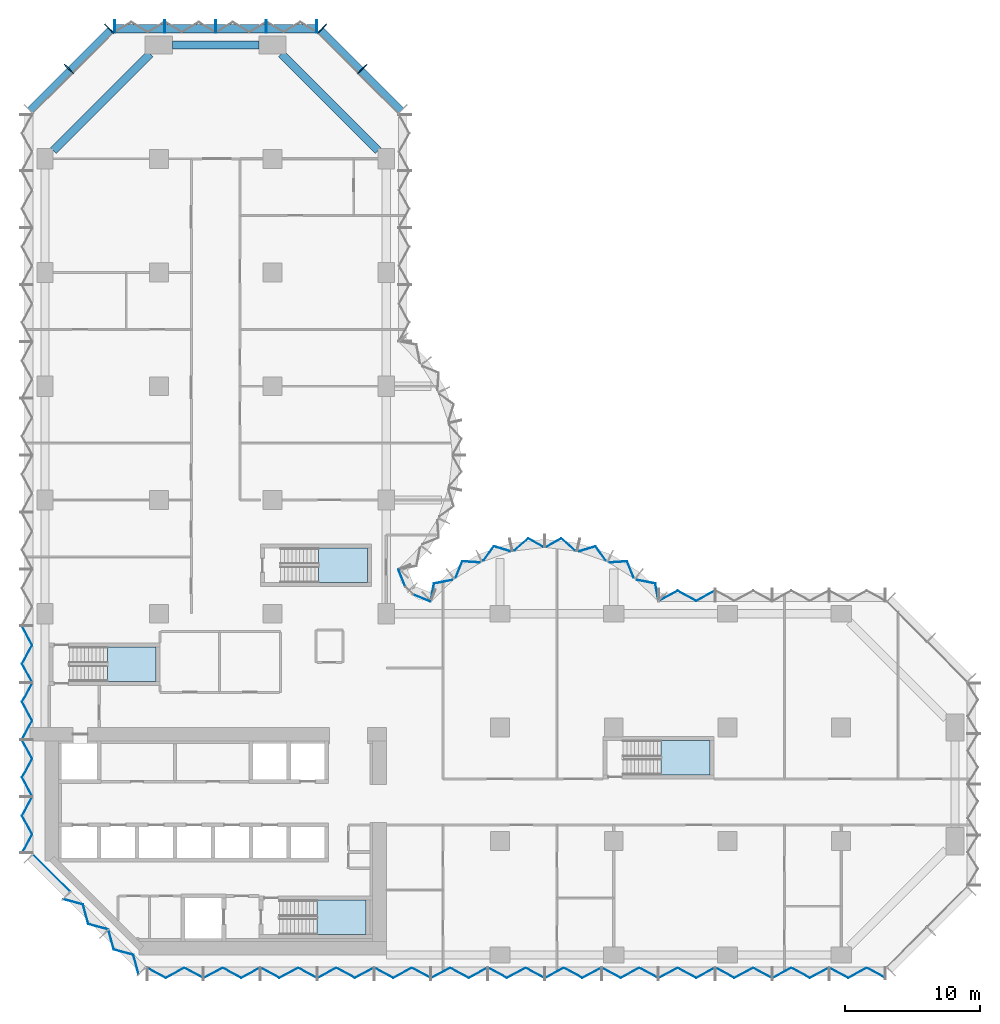
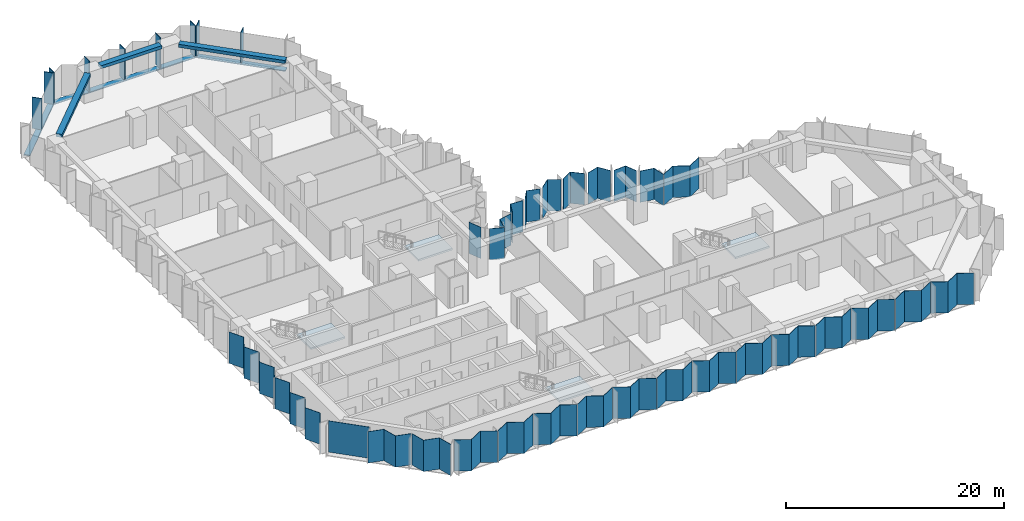
# One storey, part 5 of 15: 31 plates, 12 members, 4 slabs, 3 beams, 13 elements without a shape of their own.
"""IFC4 building model written with IfcOpenShell, lengths in metres."""

from ifc_helpers import new_model, si_unit, direction, frame, origin, origin_2d, place, context, subcontext, project, spatial, polyline, rectangle, outline, extrude, material, layer, layer_set, material_profile, profile_set, type_object, element, aggregate, save


model = new_model("IFC4")

# Units and contexts
model_context = context("Model", 3, precision=1e-05, world=origin(), true_north=direction((0.0, 1.0)))
body_context = subcontext(model_context, "Body", "Model", "MODEL_VIEW")
ifc_project = project(units=[si_unit("LENGTHUNIT", "METRE"), si_unit("AREAUNIT", "SQUARE_METRE"), si_unit("VOLUMEUNIT", "CUBIC_METRE"), si_unit("PLANEANGLEUNIT", "RADIAN"), si_unit("MASSUNIT", "GRAM", prefix="KILO")], contexts=[model_context])

# Site, building, storey
site_placement = place(None, origin())
site = spatial("IfcSite", under=ifc_project, at=site_placement, CompositionType="ELEMENT")
building_placement = place(site_placement, origin())
building = spatial("IfcBuilding", under=site, at=building_placement, Name="Brevane Broadcast Tower", CompositionType="ELEMENT")
storey_placement = place(building_placement, frame((0.0, 0.0, 47.300048828125)))
storey = spatial("IfcBuildingStorey", under=building, at=storey_placement, Name="L09", CompositionType="ELEMENT", Elevation=47.300048828125)

# Curtain wall, members
ifc_material_1 = material(Name="Aluminium 6063-T6 bronze anodised", Category="aluminium")
curtain_wall_type = type_object("IfcCurtainWallType", Name="CW-1 curtain wall", PredefinedType="NOTDEFINED", material=ifc_material_1)
curtain_wall_1_placement = place(storey_placement, origin())
curtain_wall_1 = element("IfcCurtainWall", 1, at=curtain_wall_1_placement, inside=storey, type_object=curtain_wall_type, Name="CW-1 typical tilted unit L09 north arm north-east chamfer", PredefinedType="NOTDEFINED")
ifc_material_profile_1 = material_profile(ifc_material_1, rectangle(XDim=0.949951171875, YDim=0.070068359375, at=origin_2d()), Name="RECT 70x950")
ifc_profile_set_1 = profile_set([ifc_material_profile_1], Name="Aluminium 6063-T6 bronze anodised")
member_type_1 = type_object("IfcMemberType", Name="CW-1 mullion 70x950", PredefinedType="MULLION", material=ifc_profile_set_1)
member_1_placement = place(storey_placement, frame((23.435791015625, 65.435791015625, -0.150146484375), z_axis=(0.0, 0.0, 1.0), x_axis=(-0.707106781187, -0.707106781187, 0.0)))
member_1 = element("IfcMember", 2, at=member_1_placement, type_object=member_type_1, Name="CW-1 mullion", PredefinedType="MULLION", context=body_context, shape_type="SweptSolid", body=[
    extrude(rectangle(XDim=0.949951171875, YDim=0.070068359375, at=origin_2d()), origin(), (0.0, 0.0, 1.0), 3.5),
])
member_2_placement = place(storey_placement, frame((20.460693359375, 68.4111328125, -0.150146484375), z_axis=(0.0, 0.0, 1.0), x_axis=(-0.707106781187, -0.707106781187, 0.0)))
member_2 = element("IfcMember", 3, at=member_2_placement, type_object=member_type_1, Name="CW-1 mullion", PredefinedType="MULLION", context=body_context, shape_type="SweptSolid", body=[
    extrude(rectangle(XDim=0.949951171875, YDim=0.070068359375, at=origin_2d()), origin(), (0.0, 0.0, 1.0), 3.5),
])

curtain_wall_2_placement = place(storey_placement, origin())
curtain_wall_2 = element("IfcCurtainWall", 4, at=curtain_wall_2_placement, inside=storey, type_object=curtain_wall_type, Name="CW-1 typical tilted unit L09 north end", PredefinedType="NOTDEFINED")
member_3_placement = place(storey_placement, frame((20.06494140625, 68.574951171875, -0.150146484375), z_axis=(0.0, 0.0, 1.0), x_axis=(0.0, -1.0, 0.0)))
member_3 = element("IfcMember", 5, at=member_3_placement, type_object=member_type_1, Name="CW-1 mullion", PredefinedType="MULLION", context=body_context, shape_type="SweptSolid", body=[
    extrude(rectangle(XDim=0.949951171875, YDim=0.070068359375, at=origin_2d()), origin(), (0.0, 0.0, 1.0), 3.5),
])
member_4_placement = place(storey_placement, frame((16.35009765625, 68.574951171875, -0.150146484375), z_axis=(0.0, 0.0, 1.0), x_axis=(0.0, -1.0, 0.0)))
member_4 = element("IfcMember", 6, at=member_4_placement, type_object=member_type_1, Name="CW-1 mullion", PredefinedType="MULLION", context=body_context, shape_type="SweptSolid", body=[
    extrude(rectangle(XDim=0.949951171875, YDim=0.070068359375, at=origin_2d()), origin(), (0.0, 0.0, 1.0), 3.5),
])
member_5_placement = place(storey_placement, frame((12.60009765625, 68.574951171875, -0.150146484375), z_axis=(0.0, 0.0, 1.0), x_axis=(0.0, -1.0, 0.0)))
member_5 = element("IfcMember", 7, at=member_5_placement, type_object=member_type_1, Name="CW-1 mullion", PredefinedType="MULLION", context=body_context, shape_type="SweptSolid", body=[
    extrude(rectangle(XDim=0.949951171875, YDim=0.070068359375, at=origin_2d()), origin(), (0.0, 0.0, 1.0), 3.5),
])
member_6_placement = place(storey_placement, frame((8.85009765625, 68.574951171875, -0.150146484375), z_axis=(0.0, 0.0, 1.0), x_axis=(0.0, -1.0, 0.0)))
member_6 = element("IfcMember", 8, at=member_6_placement, type_object=member_type_1, Name="CW-1 mullion", PredefinedType="MULLION", context=body_context, shape_type="SweptSolid", body=[
    extrude(rectangle(XDim=0.949951171875, YDim=0.070068359375, at=origin_2d()), origin(), (0.0, 0.0, 1.0), 3.5),
])
member_7_placement = place(storey_placement, frame((5.135009765625, 68.574951171875, -0.150146484375), z_axis=(0.0, 0.0, 1.0), x_axis=(0.0, -1.0, 0.0)))
member_7 = element("IfcMember", 9, at=member_7_placement, type_object=member_type_1, Name="CW-1 mullion", PredefinedType="MULLION", context=body_context, shape_type="SweptSolid", body=[
    extrude(rectangle(XDim=0.949951171875, YDim=0.070068359375, at=origin_2d()), origin(), (0.0, 0.0, 1.0), 3.5),
])

curtain_wall_3_placement = place(storey_placement, origin())
curtain_wall_3 = element("IfcCurtainWall", 10, at=curtain_wall_3_placement, inside=storey, type_object=curtain_wall_type, Name="CW-1 typical tilted unit L09 north-west chamfer", PredefinedType="NOTDEFINED")
member_8_placement = place(storey_placement, frame((4.7392578125, 68.4111328125, -0.150146484375), z_axis=(0.0, 0.0, 1.0), x_axis=(0.707106781187, -0.707106781187, 0.0)))
member_8 = element("IfcMember", 11, at=member_8_placement, type_object=member_type_1, Name="CW-1 mullion", PredefinedType="MULLION", context=body_context, shape_type="SweptSolid", body=[
    extrude(rectangle(XDim=0.949951171875, YDim=0.070068359375, at=origin_2d()), origin(), (0.0, 0.0, 1.0), 3.5),
])
member_9_placement = place(storey_placement, frame((1.76416015625, 65.435791015625, -0.150146484375), z_axis=(0.0, 0.0, 1.0), x_axis=(0.707106781187, -0.707106781187, 0.0)))
member_9 = element("IfcMember", 12, at=member_9_placement, type_object=member_type_1, Name="CW-1 mullion", PredefinedType="MULLION", context=body_context, shape_type="SweptSolid", body=[
    extrude(rectangle(XDim=0.949951171875, YDim=0.070068359375, at=origin_2d()), origin(), (0.0, 0.0, 1.0), 3.5),
])

# Member
ifc_material_profile_2 = material_profile(ifc_material_1, rectangle(XDim=0.60009765625, YDim=0.10009765625, at=origin_2d()), Name="RECT 100x600")
ifc_profile_set_2 = profile_set([ifc_material_profile_2], Name="Aluminium 6063-T6 bronze anodised")
member_type_2 = type_object("IfcMemberType", Name="CW-1 transom 100x600", PredefinedType="USERDEFINED", material=ifc_profile_set_2)
member_10_placement = place(storey_placement, frame((26.31201171875, 62.31201171875, -0.199951171875), z_axis=(-0.707106781187, 0.707106781187, 0.0), x_axis=(-0.707106781187, -0.707106781187, 0.0)))
member_10 = element("IfcMember", 13, at=member_10_placement, type_object=member_type_2, Name="CW-1 transom", ObjectType="TRANSOM", PredefinedType="USERDEFINED", context=body_context, shape_type="SweptSolid", body=[
    extrude(rectangle(XDim=0.60009765625, YDim=0.10009765625, at=origin_2d()), origin(), (0.0, 0.0, 1.0), 8.4853515625),
])

aggregate(curtain_wall_1, [member_1, member_2, member_10])

member_11_placement = place(storey_placement, frame((20.10009765625, 68.39990234375, -0.199951171875), z_axis=(-1.0, 0.0, 0.0), x_axis=(0.0, -1.0, 0.0)))
member_11 = element("IfcMember", 14, at=member_11_placement, type_object=member_type_2, Name="CW-1 transom", ObjectType="TRANSOM", PredefinedType="USERDEFINED", context=body_context, shape_type="SweptSolid", body=[
    extrude(rectangle(XDim=0.60009765625, YDim=0.10009765625, at=origin_2d()), origin(), (0.0, 0.0, 1.0), 15.0),
])

aggregate(curtain_wall_2, [member_3, member_4, member_5, member_6, member_7, member_11])

member_12_placement = place(storey_placement, frame((4.887939453125, 68.31201171875, -0.199951171875), z_axis=(-0.707106781187, -0.707106781187, 0.0), x_axis=(0.707106781187, -0.707106781187, 0.0)))
member_12 = element("IfcMember", 15, at=member_12_placement, type_object=member_type_2, Name="CW-1 transom", ObjectType="TRANSOM", PredefinedType="USERDEFINED", context=body_context, shape_type="SweptSolid", body=[
    extrude(rectangle(XDim=0.60009765625, YDim=0.10009765625, at=origin_2d()), origin(), (0.0, 0.0, 1.0), 8.4853515625),
])

aggregate(curtain_wall_3, [member_8, member_9, member_12])

# Beams
ifc_material_2 = material(Name="Concrete C40/50", Category="concrete")
ifc_material_profile_3 = material_profile(ifc_material_2, rectangle(XDim=0.60009765625, YDim=0.35009765625, at=origin_2d()), Name="RC 600x350")
ifc_profile_set_3 = profile_set([ifc_material_profile_3], Name="Concrete C40/50")
beam_type = type_object("IfcBeamType", Name="RC SPANDREL BEAM 600x350 C40/50", PredefinedType="SPANDREL", material=ifc_profile_set_3)
beam_1_placement = place(storey_placement, frame((24.60009765625, 59.39990234375, 3.175048828125), z_axis=(-0.707106781187, 0.707106781187, 0.0), x_axis=(-0.707106781187, -0.707106781187, 0.0)))
element("IfcBeam", 16, at=beam_1_placement, inside=storey, type_object=beam_type, Name="EB1 L09-16", PredefinedType="SPANDREL", context=body_context, shape_type="SweptSolid", body=[
    extrude(rectangle(XDim=0.60009765625, YDim=0.35009765625, at=origin_2d()), origin(), (0.0, 0.0, 1.0), 10.11181640625),
])
beam_2_placement = place(storey_placement, frame((15.800048828125, 67.199951171875, 3.175048828125), z_axis=(-1.0, 0.0, 0.0), x_axis=(0.0, -1.0, 0.0)))
element("IfcBeam", 17, at=beam_2_placement, inside=storey, type_object=beam_type, Name="EB1 L09-17", PredefinedType="SPANDREL", context=body_context, shape_type="SweptSolid", body=[
    extrude(rectangle(XDim=0.60009765625, YDim=0.35009765625, at=origin_2d()), origin(), (0.0, 0.0, 1.0), 6.400146484375),
])
beam_3_placement = place(storey_placement, frame((7.75, 66.550048828125, 3.175048828125), z_axis=(-0.707094708853, -0.707118853314, 0.0), x_axis=(0.707118853314, -0.707094708853, 0.0)))
element("IfcBeam", 18, at=beam_3_placement, inside=storey, type_object=beam_type, Name="EB1 L09-18", PredefinedType="SPANDREL", context=body_context, shape_type="SweptSolid", body=[
    extrude(rectangle(XDim=0.60009765625, YDim=0.35009765625, at=origin_2d()), origin(), (0.0, 0.0, 1.0), 10.111572265625),
])

# Curtain wall, plates
curtain_wall_4_placement = place(storey_placement, origin())
curtain_wall_4 = element("IfcCurtainWall", 19, at=curtain_wall_4_placement, inside=storey, type_object=curtain_wall_type, Name="CW-1 typical tilted unit L09 south face", PredefinedType="NOTDEFINED")
ifc_material_3 = material(Name="Laminated glass bronze-tinted", Category="glass")
ifc_layer_1 = layer(ifc_material_3, 0.0400390625)
ifc_layer_set_1 = layer_set([ifc_layer_1], Name="CW tall glass panel 40")
plate_type = type_object("IfcPlateType", Name="CW tall glass panel 40", PredefinedType="CURTAIN_PANEL", material=ifc_layer_set_1)
plate_1_placement = place(storey_placement, frame((0.0, 0.0, -0.150146484375)))
plate_1 = element("IfcPlate", 20, at=plate_1_placement, type_object=plate_type, Name="CW-1 glass panel", PredefinedType="CURTAIN_PANEL", context=body_context, shape_type="SweptSolid", body=[
    extrude(outline(polyline([(7.534912109375, -0.92724609375), (7.534912109375, -0.97265625), (8.91162109375, -1.717041015625), (10.288330078125, -0.97265625), (11.6650390625, -1.717041015625), (11.6650390625, -1.671630859375), (10.288330078125, -0.92724609375), (8.91162109375, -1.671630859375), (7.534912109375, -0.92724609375)])), origin(), (0.0, 0.0, 1.0), 3.5),
])
plate_2_placement = place(storey_placement, frame((0.0, 0.0, -0.150146484375)))
plate_2 = element("IfcPlate", 21, at=plate_2_placement, type_object=plate_type, Name="CW-1 glass panel", PredefinedType="CURTAIN_PANEL", context=body_context, shape_type="SweptSolid", body=[
    extrude(outline(polyline([(11.735107421875, -1.671630859375), (11.735107421875, -1.717041015625), (13.11181640625, -0.97265625), (14.48828125, -1.717041015625), (15.864990234375, -0.97265625), (15.864990234375, -0.92724609375), (14.48828125, -1.671630859375), (13.11181640625, -0.92724609375), (11.735107421875, -1.671630859375)])), origin(), (0.0, 0.0, 1.0), 3.5),
])
plate_3_placement = place(storey_placement, frame((0.0, 0.0, -0.150146484375)))
plate_3 = element("IfcPlate", 22, at=plate_3_placement, type_object=plate_type, Name="CW-1 glass panel", PredefinedType="CURTAIN_PANEL", context=body_context, shape_type="SweptSolid", body=[
    extrude(outline(polyline([(15.93505859375, -0.92724609375), (15.93505859375, -0.97265625), (17.311767578125, -1.717041015625), (18.688232421875, -0.97265625), (20.06494140625, -1.717041015625), (20.06494140625, -1.671630859375), (18.688232421875, -0.92724609375), (17.311767578125, -1.671630859375), (15.93505859375, -0.92724609375)])), origin(), (0.0, 0.0, 1.0), 3.5),
])
plate_4_placement = place(storey_placement, frame((0.0, 0.0, -0.150146484375)))
plate_4 = element("IfcPlate", 23, at=plate_4_placement, type_object=plate_type, Name="CW-1 glass panel", PredefinedType="CURTAIN_PANEL", context=body_context, shape_type="SweptSolid", body=[
    extrude(outline(polyline([(20.135009765625, -1.671630859375), (20.135009765625, -1.717041015625), (21.51171875, -0.97265625), (22.88818359375, -1.717041015625), (24.264892578125, -0.97265625), (24.264892578125, -0.92724609375), (22.88818359375, -1.671630859375), (21.51171875, -0.92724609375), (20.135009765625, -1.671630859375)])), origin(), (0.0, 0.0, 1.0), 3.5),
])
plate_5_placement = place(storey_placement, frame((0.0, 0.0, -0.150146484375)))
plate_5 = element("IfcPlate", 24, at=plate_5_placement, type_object=plate_type, Name="CW-1 glass panel", PredefinedType="CURTAIN_PANEL", context=body_context, shape_type="SweptSolid", body=[
    extrude(outline(polyline([(24.3349609375, -0.92724609375), (24.3349609375, -0.97265625), (25.711669921875, -1.717041015625), (27.08837890625, -0.97265625), (28.465087890625, -1.717041015625), (28.465087890625, -1.671630859375), (27.08837890625, -0.92724609375), (25.711669921875, -1.671630859375), (24.3349609375, -0.92724609375)])), origin(), (0.0, 0.0, 1.0), 3.5),
])
plate_6_placement = place(storey_placement, frame((0.0, 0.0, -0.150146484375)))
plate_6 = element("IfcPlate", 25, at=plate_6_placement, type_object=plate_type, Name="CW-1 glass panel", PredefinedType="CURTAIN_PANEL", context=body_context, shape_type="SweptSolid", body=[
    extrude(outline(polyline([(28.534912109375, -1.671630859375), (28.534912109375, -1.717041015625), (29.91162109375, -0.97265625), (31.288330078125, -1.717041015625), (32.6650390625, -0.97265625), (32.6650390625, -0.92724609375), (31.288330078125, -1.671630859375), (29.91162109375, -0.92724609375), (28.534912109375, -1.671630859375)])), origin(), (0.0, 0.0, 1.0), 3.5),
])
plate_7_placement = place(storey_placement, frame((0.0, 0.0, -0.150146484375)))
plate_7 = element("IfcPlate", 26, at=plate_7_placement, type_object=plate_type, Name="CW-1 glass panel", PredefinedType="CURTAIN_PANEL", context=body_context, shape_type="SweptSolid", body=[
    extrude(outline(polyline([(32.735107421875, -0.92724609375), (32.735107421875, -0.97265625), (34.11181640625, -1.717041015625), (35.48828125, -0.97265625), (36.864990234375, -1.717041015625), (36.864990234375, -1.671630859375), (35.48828125, -0.92724609375), (34.11181640625, -1.671630859375), (32.735107421875, -0.92724609375)])), origin(), (0.0, 0.0, 1.0), 3.5),
])
plate_8_placement = place(storey_placement, frame((0.0, 0.0, -0.150146484375)))
plate_8 = element("IfcPlate", 27, at=plate_8_placement, type_object=plate_type, Name="CW-1 glass panel", PredefinedType="CURTAIN_PANEL", context=body_context, shape_type="SweptSolid", body=[
    extrude(outline(polyline([(36.93505859375, -1.671630859375), (36.93505859375, -1.717041015625), (38.311767578125, -0.97265625), (39.688232421875, -1.717041015625), (41.06494140625, -0.97265625), (41.06494140625, -0.92724609375), (39.688232421875, -1.671630859375), (38.311767578125, -0.92724609375), (36.93505859375, -1.671630859375)])), origin(), (0.0, 0.0, 1.0), 3.5),
])
plate_9_placement = place(storey_placement, frame((0.0, 0.0, -0.150146484375)))
plate_9 = element("IfcPlate", 28, at=plate_9_placement, type_object=plate_type, Name="CW-1 glass panel", PredefinedType="CURTAIN_PANEL", context=body_context, shape_type="SweptSolid", body=[
    extrude(outline(polyline([(41.135009765625, -0.92724609375), (41.135009765625, -0.97265625), (42.51171875, -1.717041015625), (43.88818359375, -0.97265625), (45.264892578125, -1.717041015625), (45.264892578125, -1.671630859375), (43.88818359375, -0.92724609375), (42.51171875, -1.671630859375), (41.135009765625, -0.92724609375)])), origin(), (0.0, 0.0, 1.0), 3.5),
])
plate_10_placement = place(storey_placement, frame((0.0, 0.0, -0.150146484375)))
plate_10 = element("IfcPlate", 29, at=plate_10_placement, type_object=plate_type, Name="CW-1 glass panel", PredefinedType="CURTAIN_PANEL", context=body_context, shape_type="SweptSolid", body=[
    extrude(outline(polyline([(45.3349609375, -1.671630859375), (45.3349609375, -1.717041015625), (46.711669921875, -0.97265625), (48.08837890625, -1.717041015625), (49.465087890625, -0.97265625), (49.465087890625, -0.92724609375), (48.08837890625, -1.671630859375), (46.711669921875, -0.92724609375), (45.3349609375, -1.671630859375)])), origin(), (0.0, 0.0, 1.0), 3.5),
])
plate_11_placement = place(storey_placement, frame((0.0, 0.0, -0.150146484375)))
plate_11 = element("IfcPlate", 30, at=plate_11_placement, type_object=plate_type, Name="CW-1 glass panel", PredefinedType="CURTAIN_PANEL", context=body_context, shape_type="SweptSolid", body=[
    extrude(outline(polyline([(49.534912109375, -0.92724609375), (49.534912109375, -0.97265625), (50.91162109375, -1.717041015625), (52.288330078125, -0.97265625), (53.6650390625, -1.717041015625), (53.6650390625, -1.671630859375), (52.288330078125, -0.92724609375), (50.91162109375, -1.671630859375), (49.534912109375, -0.92724609375)])), origin(), (0.0, 0.0, 1.0), 3.5),
])
plate_12_placement = place(storey_placement, frame((0.0, 0.0, -0.150146484375)))
plate_12 = element("IfcPlate", 31, at=plate_12_placement, type_object=plate_type, Name="CW-1 glass panel", PredefinedType="CURTAIN_PANEL", context=body_context, shape_type="SweptSolid", body=[
    extrude(outline(polyline([(53.735107421875, -1.671630859375), (53.735107421875, -1.717041015625), (55.11181640625, -0.97265625), (56.48828125, -1.717041015625), (57.864990234375, -0.97265625), (57.864990234375, -0.92724609375), (56.48828125, -1.671630859375), (55.11181640625, -0.92724609375), (53.735107421875, -1.671630859375)])), origin(), (0.0, 0.0, 1.0), 3.5),
])
plate_13_placement = place(storey_placement, frame((0.0, 0.0, -0.150146484375)))
plate_13 = element("IfcPlate", 32, at=plate_13_placement, type_object=plate_type, Name="CW-1 glass panel", PredefinedType="CURTAIN_PANEL", context=body_context, shape_type="SweptSolid", body=[
    extrude(outline(polyline([(57.93505859375, -0.92724609375), (57.93505859375, -0.97265625), (59.311767578125, -1.717041015625), (60.688232421875, -0.97265625), (62.06494140625, -1.717041015625), (62.06494140625, -1.671630859375), (60.688232421875, -0.92724609375), (59.311767578125, -1.671630859375), (57.93505859375, -0.92724609375)])), origin(), (0.0, 0.0, 1.0), 3.5),
])
aggregate(curtain_wall_4, [plate_1, plate_2, plate_3, plate_4, plate_5, plate_6, plate_7, plate_8, plate_9, plate_10, plate_11, plate_12, plate_13])

# Curtain wall, plate
curtain_wall_5_placement = place(storey_placement, origin())
curtain_wall_5 = element("IfcCurtainWall", 33, at=curtain_wall_5_placement, inside=storey, type_object=curtain_wall_type, Name="CW-1 typical tilted unit L09 east arm north face", PredefinedType="NOTDEFINED")
plate_14_placement = place(storey_placement, frame((0.0, 0.0, -0.150146484375)))
plate_14 = element("IfcPlate", 34, at=plate_14_placement, type_object=plate_type, Name="CW-1 glass panel", PredefinedType="CURTAIN_PANEL", context=body_context, shape_type="SweptSolid", body=[
    extrude(outline(polyline([(49.465087890625, 26.87158203125), (49.465087890625, 26.9169921875), (48.08837890625, 26.172607421875), (46.711669921875, 26.9169921875), (45.3349609375, 26.172607421875), (45.3349609375, 26.127197265625), (46.711669921875, 26.87158203125), (48.08837890625, 26.127197265625), (49.465087890625, 26.87158203125)])), origin(), (0.0, 0.0, 1.0), 3.5),
])
aggregate(curtain_wall_5, [plate_14])

# Curtain wall, plates
curtain_wall_6_placement = place(storey_placement, origin())
curtain_wall_6 = element("IfcCurtainWall", 35, at=curtain_wall_6_placement, inside=storey, type_object=curtain_wall_type, Name="CW-1 typical tilted unit L09 east bow", PredefinedType="NOTDEFINED")
plate_15_placement = place(storey_placement, frame((0.0, 0.0, -0.150146484375)))
plate_15 = element("IfcPlate", 36, at=plate_15_placement, type_object=plate_type, Name="CW-1 glass panel", PredefinedType="CURTAIN_PANEL", context=body_context, shape_type="SweptSolid", body=[
    extrude(outline(polyline([(45.2939453125, 26.14404296875), (45.327880859375, 26.17919921875), (45.086181640625, 27.447265625), (43.738525390625, 27.71142578125), (43.7109375, 27.67626953125), (45.052001953125, 27.4130859375), (45.2939453125, 26.14404296875)])), origin(), (0.0, 0.0, 1.0), 3.5),
])
plate_16_placement = place(storey_placement, frame((0.0, 0.0, -0.150146484375)))
plate_16 = element("IfcPlate", 37, at=plate_16_placement, type_object=plate_type, Name="CW-1 glass panel", PredefinedType="CURTAIN_PANEL", context=body_context, shape_type="SweptSolid", body=[
    extrude(outline(polyline([(43.45703125, 27.8759765625), (43.4853515625, 27.912109375), (43.00390625, 29.089111328125), (41.710693359375, 29.006591796875), (41.69091796875, 28.96533203125), (42.977783203125, 29.04736328125), (43.45703125, 27.8759765625)])), origin(), (0.0, 0.0, 1.0), 3.5),
])
plate_17_placement = place(storey_placement, frame((0.0, 0.0, -0.150146484375)))
plate_17 = element("IfcPlate", 38, at=plate_17_placement, type_object=plate_type, Name="CW-1 glass panel", PredefinedType="CURTAIN_PANEL", context=body_context, shape_type="SweptSolid", body=[
    extrude(outline(polyline([(41.3994140625, 29.104248046875), (41.4189453125, 29.1455078125), (40.667724609375, 30.20166015625), (39.45068359375, 29.83349609375), (39.440185546875, 29.78857421875), (40.65185546875, 30.155029296875), (41.3994140625, 29.104248046875)])), origin(), (0.0, 0.0, 1.0), 3.5),
])
plate_18_placement = place(storey_placement, frame((0.0, 0.0, -0.150146484375)))
plate_18 = element("IfcPlate", 39, at=plate_18_placement, type_object=plate_type, Name="CW-1 glass panel", PredefinedType="CURTAIN_PANEL", context=body_context, shape_type="SweptSolid", body=[
    extrude(outline(polyline([(39.125, 29.859619140625), (39.13525390625, 29.903564453125), (38.116943359375, 30.779296875), (37.008056640625, 30.15869140625), (37.008056640625, 30.11279296875), (38.112060546875, 30.730712890625), (39.125, 29.859619140625)])), origin(), (0.0, 0.0, 1.0), 3.5),
])
plate_19_placement = place(storey_placement, frame((0.0, 0.0, -0.150146484375)))
plate_19 = element("IfcPlate", 40, at=plate_19_placement, type_object=plate_type, Name="CW-1 glass panel", PredefinedType="CURTAIN_PANEL", context=body_context, shape_type="SweptSolid", body=[
    extrude(outline(polyline([(36.7919921875, 30.11279296875), (36.7919921875, 30.15869140625), (35.68310546875, 30.779296875), (34.664794921875, 29.903564453125), (34.6748046875, 29.859619140625), (35.68798828125, 30.730712890625), (36.7919921875, 30.11279296875)])), origin(), (0.0, 0.0, 1.0), 3.5),
])
plate_20_placement = place(storey_placement, frame((0.0, 0.0, -0.150146484375)))
plate_20 = element("IfcPlate", 41, at=plate_20_placement, type_object=plate_type, Name="CW-1 glass panel", PredefinedType="CURTAIN_PANEL", context=body_context, shape_type="SweptSolid", body=[
    extrude(outline(polyline([(34.359619140625, 29.78857421875), (34.349365234375, 29.83349609375), (33.132080078125, 30.20166015625), (32.381103515625, 29.1455078125), (32.400634765625, 29.104248046875), (33.148193359375, 30.155029296875), (34.359619140625, 29.78857421875)])), origin(), (0.0, 0.0, 1.0), 3.5),
])
plate_21_placement = place(storey_placement, frame((0.0, 0.0, -0.150146484375)))
plate_21 = element("IfcPlate", 42, at=plate_21_placement, type_object=plate_type, Name="CW-1 glass panel", PredefinedType="CURTAIN_PANEL", context=body_context, shape_type="SweptSolid", body=[
    extrude(outline(polyline([(32.10888671875, 28.96533203125), (32.08935546875, 29.006591796875), (30.7958984375, 29.089111328125), (30.314697265625, 27.912109375), (30.343017578125, 27.8759765625), (30.822265625, 29.04736328125), (32.10888671875, 28.96533203125)])), origin(), (0.0, 0.0, 1.0), 3.5),
])
plate_22_placement = place(storey_placement, frame((0.0, 0.0, -0.150146484375)))
plate_22 = element("IfcPlate", 43, at=plate_22_placement, type_object=plate_type, Name="CW-1 glass panel", PredefinedType="CURTAIN_PANEL", context=body_context, shape_type="SweptSolid", body=[
    extrude(outline(polyline([(30.089111328125, 27.67626953125), (30.0615234375, 27.71142578125), (28.7138671875, 27.447265625), (28.471923828125, 26.17919921875), (28.506103515625, 26.14404296875), (28.748046875, 27.4130859375), (30.089111328125, 27.67626953125)])), origin(), (0.0, 0.0, 1.0), 3.5),
])
aggregate(curtain_wall_6, [plate_15, plate_16, plate_17, plate_18, plate_19, plate_20, plate_21, plate_22])

curtain_wall_7_placement = place(storey_placement, origin())
curtain_wall_7 = element("IfcCurtainWall", 44, at=curtain_wall_7_placement, inside=storey, type_object=curtain_wall_type, Name="CW-1 typical tilted unit L09 inner corner", PredefinedType="NOTDEFINED")
plate_23_placement = place(storey_placement, frame((0.0, 0.0, -0.150146484375)))
plate_23 = element("IfcPlate", 45, at=plate_23_placement, type_object=plate_type, Name="CW-1 glass panel", PredefinedType="CURTAIN_PANEL", context=body_context, shape_type="SweptSolid", body=[
    extrude(outline(polyline([(28.45166015625, 26.07470703125), (28.466796875, 26.111572265625), (27.2021484375, 26.635498046875), (27.17138671875, 26.60498046875), (28.45166015625, 26.07470703125)])), origin(), (0.0, 0.0, 1.0), 3.5),
])
plate_24_placement = place(storey_placement, frame((0.0, 0.0, -0.150146484375)))
plate_24 = element("IfcPlate", 46, at=plate_24_placement, type_object=plate_type, Name="CW-1 glass panel", PredefinedType="CURTAIN_PANEL", context=body_context, shape_type="SweptSolid", body=[
    extrude(outline(polyline([(26.60498046875, 27.17138671875), (26.635498046875, 27.2021484375), (26.111572265625, 28.466796875), (26.07470703125, 28.45166015625), (26.60498046875, 27.17138671875)])), origin(), (0.0, 0.0, 1.0), 3.5),
])
aggregate(curtain_wall_7, [plate_23, plate_24])

curtain_wall_8_placement = place(storey_placement, origin())
curtain_wall_8 = element("IfcCurtainWall", 47, at=curtain_wall_8_placement, inside=storey, type_object=curtain_wall_type, Name="CW-1 typical tilted unit L09 west face", PredefinedType="NOTDEFINED")
plate_25_placement = place(storey_placement, frame((0.0, 0.0, -0.150146484375)))
plate_25 = element("IfcPlate", 48, at=plate_25_placement, type_object=plate_type, Name="CW-1 glass panel", PredefinedType="CURTAIN_PANEL", context=body_context, shape_type="SweptSolid", body=[
    extrude(outline(polyline([(-1.671630859375, 24.264892578125), (-1.717041015625, 24.264892578125), (-0.97265625, 22.88818359375), (-1.717041015625, 21.51171875), (-0.97265625, 20.135009765625), (-0.92724609375, 20.135009765625), (-1.671630859375, 21.51171875), (-0.92724609375, 22.88818359375), (-1.671630859375, 24.264892578125)])), origin(), (0.0, 0.0, 1.0), 3.5),
])
plate_26_placement = place(storey_placement, frame((0.0, 0.0, -0.150146484375)))
plate_26 = element("IfcPlate", 49, at=plate_26_placement, type_object=plate_type, Name="CW-1 glass panel", PredefinedType="CURTAIN_PANEL", context=body_context, shape_type="SweptSolid", body=[
    extrude(outline(polyline([(-0.92724609375, 20.06494140625), (-0.97265625, 20.06494140625), (-1.717041015625, 18.688232421875), (-0.97265625, 17.311767578125), (-1.717041015625, 15.93505859375), (-1.671630859375, 15.93505859375), (-0.92724609375, 17.311767578125), (-1.671630859375, 18.688232421875), (-0.92724609375, 20.06494140625)])), origin(), (0.0, 0.0, 1.0), 3.5),
])
plate_27_placement = place(storey_placement, frame((0.0, 0.0, -0.150146484375)))
plate_27 = element("IfcPlate", 50, at=plate_27_placement, type_object=plate_type, Name="CW-1 glass panel", PredefinedType="CURTAIN_PANEL", context=body_context, shape_type="SweptSolid", body=[
    extrude(outline(polyline([(-1.671630859375, 15.864990234375), (-1.717041015625, 15.864990234375), (-0.97265625, 14.48828125), (-1.717041015625, 13.11181640625), (-0.97265625, 11.735107421875), (-0.92724609375, 11.735107421875), (-1.671630859375, 13.11181640625), (-0.92724609375, 14.48828125), (-1.671630859375, 15.864990234375)])), origin(), (0.0, 0.0, 1.0), 3.5),
])
plate_28_placement = place(storey_placement, frame((0.0, 0.0, -0.150146484375)))
plate_28 = element("IfcPlate", 51, at=plate_28_placement, type_object=plate_type, Name="CW-1 glass panel", PredefinedType="CURTAIN_PANEL", context=body_context, shape_type="SweptSolid", body=[
    extrude(outline(polyline([(-0.92724609375, 11.6650390625), (-0.97265625, 11.6650390625), (-1.717041015625, 10.288330078125), (-0.97265625, 8.91162109375), (-1.717041015625, 7.534912109375), (-1.671630859375, 7.534912109375), (-0.92724609375, 8.91162109375), (-1.671630859375, 10.288330078125), (-0.92724609375, 11.6650390625)])), origin(), (0.0, 0.0, 1.0), 3.5),
])
aggregate(curtain_wall_8, [plate_25, plate_26, plate_27, plate_28])

curtain_wall_9_placement = place(storey_placement, origin())
curtain_wall_9 = element("IfcCurtainWall", 52, at=curtain_wall_9_placement, inside=storey, type_object=curtain_wall_type, Name="CW-1 typical tilted unit L09 south-west chamfer", PredefinedType="NOTDEFINED")
plate_29_placement = place(storey_placement, frame((0.0, 0.0, -0.150146484375)))
plate_29 = element("IfcPlate", 53, at=plate_29_placement, type_object=plate_type, Name="CW-1 glass panel", PredefinedType="CURTAIN_PANEL", context=body_context, shape_type="SweptSolid", body=[
    extrude(outline(polyline([(-0.896484375, 7.4541015625), (1.85400390625, 4.70361328125), (1.82568359375, 4.67529296875), (-0.9248046875, 7.42578125), (-0.896484375, 7.4541015625)])), origin(), (0.0, 0.0, 1.0), 3.5),
])
plate_30_placement = place(storey_placement, frame((0.0, 0.0, -0.150146484375)))
plate_30 = element("IfcPlate", 54, at=plate_30_placement, type_object=plate_type, Name="CW-1 glass panel", PredefinedType="CURTAIN_PANEL", context=body_context, shape_type="SweptSolid", body=[
    extrude(outline(polyline([(1.37939453125, 4.1298828125), (1.3466796875, 4.09716796875), (2.789794921875, 3.706787109375), (3.180419921875, 2.263671875), (4.62353515625, 1.873046875), (4.65625, 1.90576171875), (3.212890625, 2.296142578125), (2.822509765625, 3.739501953125), (1.37939453125, 4.1298828125)])), origin(), (0.0, 0.0, 1.0), 3.5),
])
plate_31_placement = place(storey_placement, frame((0.0, 0.0, -0.150146484375)))
plate_31 = element("IfcPlate", 55, at=plate_31_placement, type_object=plate_type, Name="CW-1 glass panel", PredefinedType="CURTAIN_PANEL", context=body_context, shape_type="SweptSolid", body=[
    extrude(outline(polyline([(4.705810546875, 1.856201171875), (4.673095703125, 1.823486328125), (5.063720703125, 0.38037109375), (6.5068359375, -0.010009765625), (6.897216796875, -1.453369140625), (6.9296875, -1.420654296875), (6.539306640625, 0.0224609375), (5.09619140625, 0.4130859375), (4.705810546875, 1.856201171875)])), origin(), (0.0, 0.0, 1.0), 3.5),
])
aggregate(curtain_wall_9, [plate_29, plate_30, plate_31])

# Stair, slab
ifc_material_4 = material(Name="Concrete C50/60", Category="concrete")
stair_type = type_object("IfcStairType", Name="Exit stair 22 risers", PredefinedType="HALF_TURN_STAIR", material=ifc_material_4)
stair_1_placement = place(storey_placement, origin())
stair_1 = element("IfcStair", 56, at=stair_1_placement, inside=storey, type_object=stair_type, Name="L09 Exit stair ST-1", PredefinedType="HALF_TURN_STAIR")
ifc_layer_2 = layer(ifc_material_4, 0.199951171875)
ifc_layer_set_2 = layer_set([ifc_layer_2], Name="Exit stair landing")
slab_type = type_object("IfcSlabType", Name="Exit stair landing", PredefinedType="LANDING", material=ifc_layer_set_2)
slab_1_placement = place(storey_placement, frame((0.0, 0.0, 1.599853515625)))
slab_1 = element("IfcSlab", 57, at=slab_1_placement, type_object=slab_type, Name="ST-1 landing 1", PredefinedType="LANDING", context=body_context, shape_type="SweptSolid", body=[
    extrude(outline(polyline([(4.60009765625, 20.199951171875), (8.199951171875, 20.199951171875), (8.199951171875, 22.75), (4.60009765625, 22.75), (4.60009765625, 20.199951171875)])), origin(), (0.0, 0.0, 1.0), 0.2001953125),
])
aggregate(stair_1, [slab_1])

stair_2_placement = place(storey_placement, origin())
stair_2 = element("IfcStair", 58, at=stair_2_placement, inside=storey, type_object=stair_type, Name="L09 Exit stair ST-2", PredefinedType="HALF_TURN_STAIR")
slab_2_placement = place(storey_placement, frame((0.0, 0.0, 1.599853515625)))
slab_2 = element("IfcSlab", 59, at=slab_2_placement, type_object=slab_type, Name="ST-2 landing 1", PredefinedType="LANDING", context=body_context, shape_type="SweptSolid", body=[
    extrude(outline(polyline([(20.10009765625, 1.5), (23.699951171875, 1.5), (23.699951171875, 4.050048828125), (20.10009765625, 4.050048828125), (20.10009765625, 1.5)])), origin(), (0.0, 0.0, 1.0), 0.2001953125),
])
aggregate(stair_2, [slab_2])

stair_3_placement = place(storey_placement, origin())
stair_3 = element("IfcStair", 60, at=stair_3_placement, inside=storey, type_object=stair_type, Name="L09 Exit stair ST-3", PredefinedType="HALF_TURN_STAIR")
slab_3_placement = place(storey_placement, frame((0.0, 0.0, 1.599853515625)))
slab_3 = element("IfcSlab", 61, at=slab_3_placement, type_object=slab_type, Name="ST-3 landing 1", PredefinedType="LANDING", context=body_context, shape_type="SweptSolid", body=[
    extrude(outline(polyline([(20.199951171875, 27.5), (23.800048828125, 27.5), (23.800048828125, 30.050048828125), (20.199951171875, 30.050048828125), (20.199951171875, 27.5)])), origin(), (0.0, 0.0, 1.0), 0.2001953125),
])
aggregate(stair_3, [slab_3])

stair_4_placement = place(storey_placement, origin())
stair_4 = element("IfcStair", 62, at=stair_4_placement, inside=storey, type_object=stair_type, Name="L09 Exit stair ST-4", PredefinedType="HALF_TURN_STAIR")
slab_4_placement = place(storey_placement, frame((0.0, 0.0, 1.599853515625)))
slab_4 = element("IfcSlab", 63, at=slab_4_placement, type_object=slab_type, Name="ST-4 landing 1", PredefinedType="LANDING", context=body_context, shape_type="SweptSolid", body=[
    extrude(outline(polyline([(45.5, 13.300048828125), (49.10009765625, 13.300048828125), (49.10009765625, 15.85009765625), (45.5, 15.85009765625), (45.5, 13.300048828125)])), origin(), (0.0, 0.0, 1.0), 0.2001953125),
])
aggregate(stair_4, [slab_4])

save(model, "model.ifc")
